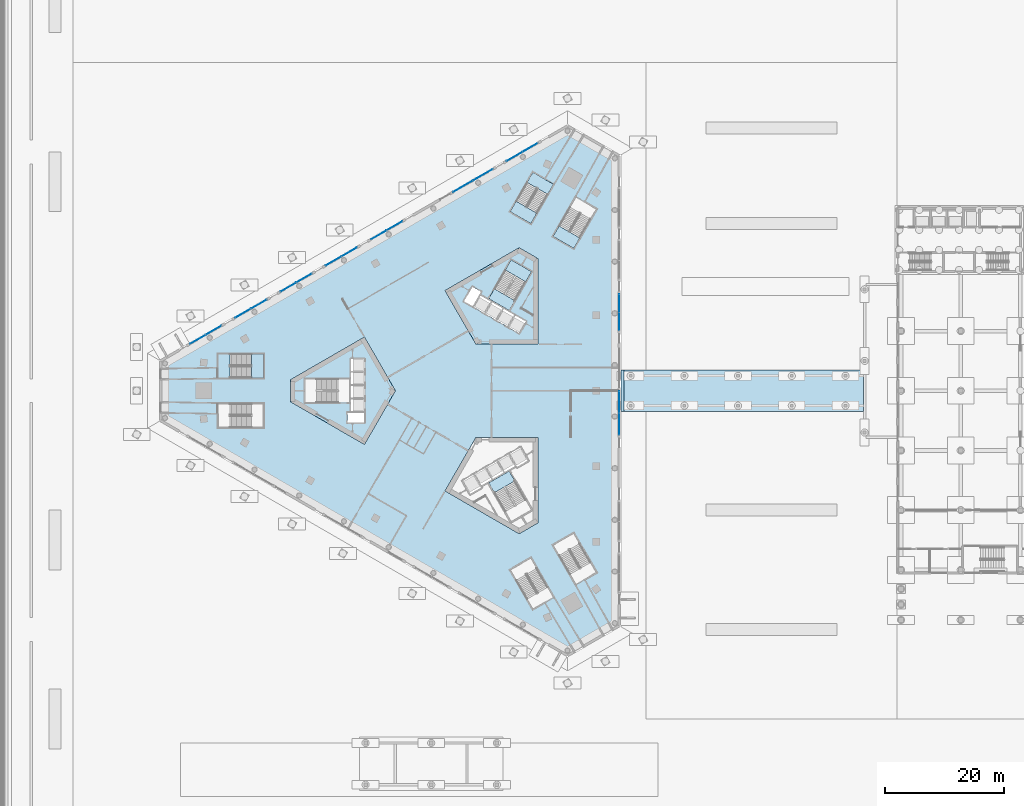
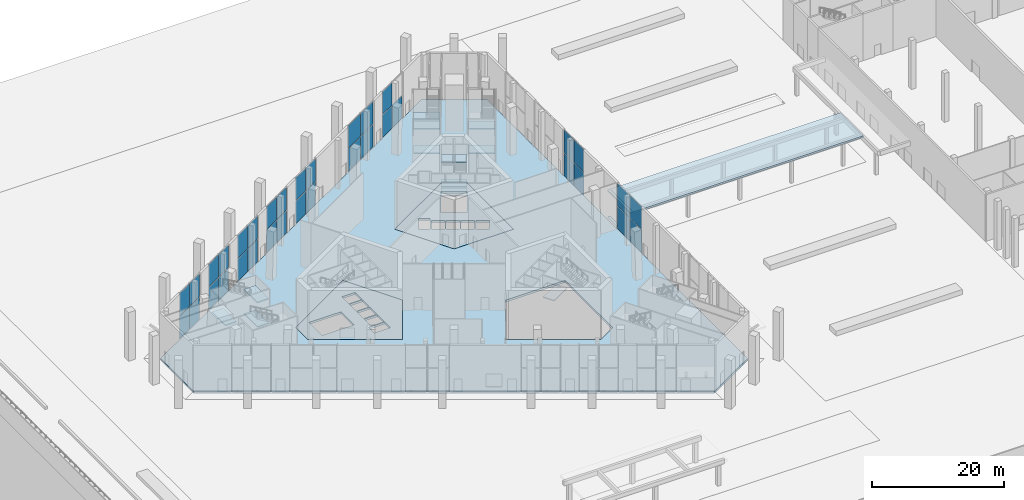
# One storey, part 20 of 63: 37 plates, 16 slabs, 14 elements without a shape of their own.
"""IFC4 building model written with IfcOpenShell, lengths in metres."""

import ifcopenshell
import ifcopenshell.guid

model = None  # the IFC model being written
_history = None  # IfcOwnerHistory: only IFC2X3 demands one
_inside = {}  # id of a spatial element -> (the spatial element, [elements in it])
_under = {}  # id of a project, library or spatial element -> (it, [spatial elements below it])
_declared = {}  # id of a project -> (the project, [libraries it declares])
_typed = {}  # id of a type object -> (the type object, [elements of that type])
_made_of = {}  # id of a material, layer set ... -> (it, [elements and type objects made of it])


def new_model(schema):
    """Start an empty IFC model of exactly this schema.

    Asked for "IFC4X3", IfcOpenShell would pick the latest addendum, in which some entities
    have other attributes; the version numbers below select the first issue.
    IFC2X3 requires an IfcOwnerHistory on every rooted entity: one is made here for all.
    """
    global model, _history
    if schema == "IFC4X3":
        model = ifcopenshell.file(schema_version=(4, 3, 0, 0))
    else:
        model = ifcopenshell.file(schema=schema)
    _inside.clear()
    _under.clear()
    _declared.clear()
    _typed.clear()
    _made_of.clear()
    _history = None
    if model.schema == "IFC2X3":
        org = make("IfcOrganization", Name="unknown")
        user = make(
            "IfcPersonAndOrganization",
            ThePerson=make("IfcPerson", FamilyName="unknown"),
            TheOrganization=org,
        )
        app = make(
            "IfcApplication",
            ApplicationDeveloper=org,
            Version="unknown",
            ApplicationFullName="unknown",
            ApplicationIdentifier="unknown",
        )
        _history = make(
            "IfcOwnerHistory",
            OwningUser=user,
            OwningApplication=app,
            ChangeAction="ADDED",
            CreationDate=0,
        )
    return model


def make(cls, **values):
    """One entity of the class cls with the attributes given. An attribute that is None is left unset."""
    return model.create_entity(
        cls, **{name: value for name, value in values.items() if value is not None}
    )


def rooted(cls, **values):
    """An entity with a GlobalId (a new one), such as an element, a storey or a relation."""
    return make(cls, GlobalId=ifcopenshell.guid.new(), OwnerHistory=_history, **values)


def si_unit(unit_type, name, prefix=None):
    """IfcSIUnit, for example si_unit("LENGTHUNIT", "METRE", prefix="MILLI")."""
    return make("IfcSIUnit", UnitType=unit_type, Prefix=prefix, Name=name)


def assignment(units):
    """IfcUnitAssignment: the units of a project."""
    return None if units is None else make("IfcUnitAssignment", Units=units)


def point(xyz):
    """IfcCartesianPoint."""
    return None if xyz is None else make("IfcCartesianPoint", Coordinates=xyz)


def direction(xyz):
    """IfcDirection."""
    return None if xyz is None else make("IfcDirection", DirectionRatios=xyz)


def frame(location, z_axis=None, x_axis=None):
    """IfcAxis2Placement3D, a coordinate frame: its origin and axes. An axis left out is left unset."""
    return make(
        "IfcAxis2Placement3D",
        Location=point(location),
        Axis=direction(z_axis),
        RefDirection=direction(x_axis),
    )


def frame_2d(location, x_axis=None):
    """IfcAxis2Placement2D, a coordinate frame in the plane: its origin and x axis."""
    return make(
        "IfcAxis2Placement2D", Location=point(location), RefDirection=direction(x_axis)
    )


def origin():
    """The frame at (0, 0, 0) with its axes left unset."""
    return frame((0.0, 0.0, 0.0))


def origin_2d():
    """The frame at (0, 0) in the plane with its x axis left unset."""
    return frame_2d((0.0, 0.0))


def place(relative_to, where):
    """IfcLocalPlacement: puts the frame where relative to a parent placement (None: the world)."""
    return make(
        "IfcLocalPlacement", PlacementRelTo=relative_to, RelativePlacement=where
    )


def context(
    kind, dimensions, precision=None, world=None, true_north=None, identifier=None
):
    """IfcGeometricRepresentationContext, for example the 3D "Model" context."""
    return make(
        "IfcGeometricRepresentationContext",
        ContextIdentifier=identifier,
        ContextType=kind,
        CoordinateSpaceDimension=dimensions,
        Precision=precision,
        WorldCoordinateSystem=world,
        TrueNorth=true_north,
    )


def subcontext(parent, identifier, kind, view, scale=None):
    """IfcGeometricRepresentationSubContext, for example "Body" below "Model"."""
    return make(
        "IfcGeometricRepresentationSubContext",
        ContextIdentifier=identifier,
        ContextType=kind,
        ParentContext=parent,
        TargetScale=scale,
        TargetView=view,
    )


def project(units=None, contexts=None):
    """IfcProject with its units and contexts."""
    return rooted(
        "IfcProject",
        Name="project",
        RepresentationContexts=contexts,
        UnitsInContext=assignment(units),
    )


def spatial(cls, under=None, at=None, **own):
    """A site, building, storey or space (cls), placed at a placement, below another one or the project."""
    s = rooted(cls, ObjectPlacement=at, **own)
    if under is not None:
        _under.setdefault(under.id(), (under, []))[1].append(s)
    return s


def polyline(points):
    """IfcPolyline through the points."""
    return make("IfcPolyline", Points=[point(p) for p in points])


def profile(cls, at=None, kind="AREA", **sizes):
    """A parametric profile (cls). Its sizes go by their IFC names, for example OverallWidth=200.0."""
    return make(cls, ProfileType=kind, Position=at, **sizes)


def rectangle(**sizes):
    """IfcRectangleProfileDef."""
    return profile("IfcRectangleProfileDef", **sizes)


def outline(outer, holes=None, kind="AREA"):
    """IfcArbitraryClosedProfileDef: a profile drawn as a closed curve; with holes, ...WithVoids."""
    if holes is None:
        return make("IfcArbitraryClosedProfileDef", ProfileType=kind, OuterCurve=outer)
    return make(
        "IfcArbitraryProfileDefWithVoids",
        ProfileType=kind,
        OuterCurve=outer,
        InnerCurves=holes,
    )


def extrude(swept, where, along, depth):
    """IfcExtrudedAreaSolid: the profile swept, set in the frame where, extruded along a direction by depth."""
    return make(
        "IfcExtrudedAreaSolid",
        SweptArea=swept,
        Position=where,
        ExtrudedDirection=direction(along),
        Depth=depth,
    )


def shape(context_of_items, identifier, shape_type, items):
    """IfcShapeRepresentation: the items that make up one representation, for example the "Body"."""
    return make(
        "IfcShapeRepresentation",
        ContextOfItems=context_of_items,
        RepresentationIdentifier=identifier,
        RepresentationType=shape_type,
        Items=items,
    )


def material(Name=None, Category=None):
    """IfcMaterial."""
    return make("IfcMaterial", Name=Name, Category=Category)


def layer(
    of_material, thickness, ventilated=None, Name=None, Category=None, Priority=None
):
    """IfcMaterialLayer: one layer of a wall or slab, of a material (None: an air gap)."""
    return make(
        "IfcMaterialLayer",
        Material=of_material,
        LayerThickness=thickness,
        IsVentilated=ventilated,
        Name=Name,
        Category=Category,
        Priority=Priority,
    )


def layer_set(layers, Name=None):
    """IfcMaterialLayerSet."""
    return make("IfcMaterialLayerSet", MaterialLayers=layers, LayerSetName=Name)


def made_of(thing, what):
    """Note that an element or type object is made of a material, layer set ...; save() writes the relation."""
    if what is not None:
        _made_of.setdefault(what.id(), (what, []))[1].append(thing)
    return thing


def type_object(cls, material=None, **own):
    """A type object (cls), such as IfcWallType, which elements share."""
    return made_of(rooted(cls, **own), material)


def element(
    cls,
    number,
    at=None,
    inside=None,
    cuts=None,
    type_object=None,
    material=None,
    context=None,
    identifier="Body",
    shape_type=None,
    held_by="IfcProductDefinitionShape",
    body=None,
    shapes=None,
    **own,
):
    """One element of the class cls, such as IfcWall. Its Tag is "e" and its number.

    at: its placement. inside: the storey or other place that contains it. cuts: it is an
    opening in that element (IfcRelVoidsElement). A single representation is given by context,
    identifier, shape_type and body (its items); several are given by shapes. held_by: the class
    of the entity that holds the representations. save() writes the other relations.
    """
    e = rooted(cls, Tag="e%d" % number, ObjectPlacement=at, **own)
    if body is not None:
        shapes = [shape(context, identifier, shape_type, body)]
    if shapes is not None:
        e.Representation = make(held_by, Representations=shapes)
    if inside is not None:
        _inside.setdefault(inside.id(), (inside, []))[1].append(e)
    if cuts is not None:
        rooted(
            "IfcRelVoidsElement", RelatingBuildingElement=cuts, RelatedOpeningElement=e
        )
    if type_object is not None:
        _typed.setdefault(type_object.id(), (type_object, []))[1].append(e)
    return made_of(e, material)


def aggregate(whole, parts):
    """IfcRelAggregates: a whole, such as a stair, and the parts it consists of."""
    return rooted("IfcRelAggregates", RelatingObject=whole, RelatedObjects=parts)


def save(model, path):
    """Write the relations noted so far, then the file.

    IfcRelAggregates (storeys below a building ...), IfcRelContainedInSpatialStructure (elements
    in a storey), IfcRelDefinesByType, IfcRelAssociatesMaterial and IfcRelDeclares: one each for
    every whole, place, type object, material and project.
    """
    for whole, parts in _under.values():
        aggregate(whole, parts)
    for where, things in _inside.values():
        rooted(
            "IfcRelContainedInSpatialStructure",
            RelatedElements=things,
            RelatingStructure=where,
        )
    for kind, things in _typed.values():
        rooted("IfcRelDefinesByType", RelatedObjects=things, RelatingType=kind)
    for what, things in _made_of.values():
        rooted("IfcRelAssociatesMaterial", RelatedObjects=things, RelatingMaterial=what)
    for by, libraries in _declared.values():
        rooted("IfcRelDeclares", RelatingContext=by, RelatedDefinitions=libraries)
    model.write(path)


model = new_model("IFC4")

# Units and contexts
model_context = context("Model", 3, precision=1e-05, world=origin(), true_north=direction((0.0, 1.0)))
body_context = subcontext(model_context, "Body", "Model", "MODEL_VIEW")
ifc_project = project(units=[si_unit("LENGTHUNIT", "METRE"), si_unit("AREAUNIT", "SQUARE_METRE"), si_unit("VOLUMEUNIT", "CUBIC_METRE"), si_unit("PLANEANGLEUNIT", "RADIAN"), si_unit("MASSUNIT", "GRAM", prefix="KILO")], contexts=[model_context])

# Site, building, storey
site_placement = place(None, origin())
site = spatial("IfcSite", under=ifc_project, at=site_placement, CompositionType="ELEMENT")
building_placement = place(site_placement, origin())
building = spatial("IfcBuilding", under=site, at=building_placement, Name="Jabali Bay Hotel Tower and Convention Centre", CompositionType="ELEMENT")
storey_placement = place(building_placement, origin())
storey = spatial("IfcBuildingStorey", under=building, at=storey_placement, Name="L00", CompositionType="ELEMENT", Elevation=0.0)

# Curtain wall, plates
ifc_material_1 = material(Name="Aluminium and glass", Category="aluminium")
ifc_layer_1 = layer(ifc_material_1, 0.179931640625)
ifc_layer_set_1 = layer_set([ifc_layer_1], Name="Aluminium and glass")
curtain_wall_type_1 = type_object("IfcCurtainWallType", Name="CW1 curtain wall", PredefinedType="NOTDEFINED", material=ifc_layer_set_1)
curtain_wall_1_placement = place(storey_placement, origin())
curtain_wall_1 = element("IfcCurtainWall", 1, at=curtain_wall_1_placement, inside=storey, type_object=curtain_wall_type_1, Name="CW1 curtain wall east face L00", PredefinedType="NOTDEFINED")
ifc_material_2 = material(Name="Glass", Category="glass")
ifc_layer_2 = layer(ifc_material_2, 0.028076171875)
ifc_layer_set_2 = layer_set([ifc_layer_2], Name="Glass")
plate_type_1 = type_object("IfcPlateType", Name="CW1 glass panel 28", PredefinedType="CURTAIN_PANEL", material=ifc_layer_set_2)
plate_1_placement = place(storey_placement, frame((103.5, 78.085693359375, 0.06005859375), z_axis=(0.0, 0.0, 1.0), x_axis=(0.0, -1.0, 0.0)))
plate_1 = element("IfcPlate", 2, at=plate_1_placement, type_object=plate_type_1, Name="CW1 panel 1.1", PredefinedType="CURTAIN_PANEL", context=body_context, shape_type="SweptSolid", body=[
    extrude(rectangle(XDim=3.608642578125, YDim=0.028076171875, at=origin_2d()), origin(), (0.0, 0.0, 1.0), 4.2099609375),
])
plate_2_placement = place(storey_placement, frame((103.5, 78.085693359375, 4.330078125), z_axis=(0.0, 0.0, 1.0), x_axis=(0.0, -1.0, 0.0)))
plate_2 = element("IfcPlate", 3, at=plate_2_placement, type_object=plate_type_1, Name="CW1 panel 1.2", PredefinedType="CURTAIN_PANEL", context=body_context, shape_type="SweptSolid", body=[
    extrude(rectangle(XDim=3.608642578125, YDim=0.028076171875, at=origin_2d()), origin(), (0.0, 0.0, 1.0), 4.2099609375),
])
plate_3_placement = place(storey_placement, frame((103.5, 74.4169921875, 0.06005859375), z_axis=(0.0, 0.0, 1.0), x_axis=(0.0, -1.0, 0.0)))
plate_3 = element("IfcPlate", 4, at=plate_3_placement, type_object=plate_type_1, Name="CW1 panel 2.1", PredefinedType="CURTAIN_PANEL", context=body_context, shape_type="SweptSolid", body=[
    extrude(rectangle(XDim=3.608642578125, YDim=0.028076171875, at=origin_2d()), origin(), (0.0, 0.0, 1.0), 4.2099609375),
])
plate_4_placement = place(storey_placement, frame((103.5, 74.4169921875, 4.330078125), z_axis=(0.0, 0.0, 1.0), x_axis=(0.0, -1.0, 0.0)))
plate_4 = element("IfcPlate", 5, at=plate_4_placement, type_object=plate_type_1, Name="CW1 panel 2.2", PredefinedType="CURTAIN_PANEL", context=body_context, shape_type="SweptSolid", body=[
    extrude(rectangle(XDim=3.608642578125, YDim=0.028076171875, at=origin_2d()), origin(), (0.0, 0.0, 1.0), 4.2099609375),
])
aggregate(curtain_wall_1, [plate_1, plate_2, plate_3, plate_4])

curtain_wall_2_placement = place(storey_placement, origin())
curtain_wall_2 = element("IfcCurtainWall", 6, at=curtain_wall_2_placement, inside=storey, type_object=curtain_wall_type_1, Name="CW1 curtain wall east face L00", PredefinedType="NOTDEFINED")
plate_5_placement = place(storey_placement, frame((103.5, 94.64306640625, 0.06005859375), z_axis=(0.0, 0.0, 1.0), x_axis=(0.0, -1.0, 0.0)))
plate_5 = element("IfcPlate", 7, at=plate_5_placement, type_object=plate_type_1, Name="CW1 panel 1.1", PredefinedType="CURTAIN_PANEL", context=body_context, shape_type="SweptSolid", body=[
    extrude(rectangle(XDim=2.983642578125, YDim=0.028076171875, at=origin_2d()), origin(), (0.0, 0.0, 1.0), 4.2099609375),
])
plate_6_placement = place(storey_placement, frame((103.5, 94.64306640625, 4.330078125), z_axis=(0.0, 0.0, 1.0), x_axis=(0.0, -1.0, 0.0)))
plate_6 = element("IfcPlate", 8, at=plate_6_placement, type_object=plate_type_1, Name="CW1 panel 1.2", PredefinedType="CURTAIN_PANEL", context=body_context, shape_type="SweptSolid", body=[
    extrude(rectangle(XDim=2.983642578125, YDim=0.028076171875, at=origin_2d()), origin(), (0.0, 0.0, 1.0), 4.2099609375),
])
plate_7_placement = place(storey_placement, frame((103.5, 91.599365234375, 0.06005859375), z_axis=(0.0, 0.0, 1.0), x_axis=(0.0, -1.0, 0.0)))
plate_7 = element("IfcPlate", 9, at=plate_7_placement, type_object=plate_type_1, Name="CW1 panel 2.1", PredefinedType="CURTAIN_PANEL", context=body_context, shape_type="SweptSolid", body=[
    extrude(rectangle(XDim=2.983642578125, YDim=0.028076171875, at=origin_2d()), origin(), (0.0, 0.0, 1.0), 4.2099609375),
])
plate_8_placement = place(storey_placement, frame((103.5, 91.599365234375, 4.330078125), z_axis=(0.0, 0.0, 1.0), x_axis=(0.0, -1.0, 0.0)))
plate_8 = element("IfcPlate", 10, at=plate_8_placement, type_object=plate_type_1, Name="CW1 panel 2.2", PredefinedType="CURTAIN_PANEL", context=body_context, shape_type="SweptSolid", body=[
    extrude(rectangle(XDim=2.983642578125, YDim=0.028076171875, at=origin_2d()), origin(), (0.0, 0.0, 1.0), 4.2099609375),
])
aggregate(curtain_wall_2, [plate_5, plate_6, plate_7, plate_8])

ifc_layer_3 = layer(ifc_material_1, 0.239990234375)
ifc_layer_set_3 = layer_set([ifc_layer_3], Name="Aluminium and glass")
curtain_wall_type_2 = type_object("IfcCurtainWallType", Name="CW2 curtain wall", PredefinedType="NOTDEFINED", material=ifc_layer_set_3)
curtain_wall_3_placement = place(storey_placement, origin())
curtain_wall_3 = element("IfcCurtainWall", 11, at=curtain_wall_3_placement, inside=storey, type_object=curtain_wall_type_2, Name="CW2 curtain wall north-west face L00", PredefinedType="NOTDEFINED")
ifc_layer_4 = layer(ifc_material_2, 0.035888671875)
ifc_layer_set_4 = layer_set([ifc_layer_4], Name="Glass")
plate_type_2 = type_object("IfcPlateType", Name="CW2 glass panel 36", PredefinedType="CURTAIN_PANEL", material=ifc_layer_set_4)
plate_9_placement = place(storey_placement, frame((85.95068359375, 119.231201171875, 0.080078125), z_axis=(0.0, 0.0, 1.0), x_axis=(0.866025404107, 0.499999999441, 0.0)))
plate_9 = element("IfcPlate", 12, at=plate_9_placement, type_object=plate_type_2, Name="CW2 panel 1.1", PredefinedType="CURTAIN_PANEL", context=body_context, shape_type="SweptSolid", body=[
    extrude(rectangle(XDim=2.95361328125, YDim=0.035888671875, at=origin_2d()), origin(), (0.0, 0.0, 1.0), 4.179931640625),
])
plate_10_placement = place(storey_placement, frame((85.95068359375, 119.231201171875, 4.33984375), z_axis=(0.0, 0.0, 1.0), x_axis=(0.866025404107, 0.499999999441, 0.0)))
plate_10 = element("IfcPlate", 13, at=plate_10_placement, type_object=plate_type_2, Name="CW2 panel 1.2", PredefinedType="CURTAIN_PANEL", context=body_context, shape_type="SweptSolid", body=[
    extrude(rectangle(XDim=2.95361328125, YDim=0.035888671875, at=origin_2d()), origin(), (0.0, 0.0, 1.0), 4.179931640625),
])
plate_11_placement = place(storey_placement, frame((88.577880859375, 120.748046875, 0.080078125), z_axis=(0.0, 0.0, 1.0), x_axis=(0.866025404107, 0.499999999441, 0.0)))
plate_11 = element("IfcPlate", 14, at=plate_11_placement, type_object=plate_type_2, Name="CW2 panel 2.1", PredefinedType="CURTAIN_PANEL", context=body_context, shape_type="SweptSolid", body=[
    extrude(rectangle(XDim=2.95361328125, YDim=0.035888671875, at=origin_2d()), origin(), (0.0, 0.0, 1.0), 4.179931640625),
])
aggregate(curtain_wall_3, [plate_9, plate_10, plate_11])

curtain_wall_4_placement = place(storey_placement, origin())
curtain_wall_4 = element("IfcCurtainWall", 15, at=curtain_wall_4_placement, inside=storey, type_object=curtain_wall_type_2, Name="CW2 curtain wall north-west face L00", PredefinedType="NOTDEFINED")
plate_12_placement = place(storey_placement, frame((77.311767578125, 114.24365234375, 0.080078125), z_axis=(0.0, 0.0, 1.0), x_axis=(0.866025404107, 0.499999999441, 0.0)))
plate_12 = element("IfcPlate", 16, at=plate_12_placement, type_object=plate_type_2, Name="CW2 panel 1.1", PredefinedType="CURTAIN_PANEL", context=body_context, shape_type="SweptSolid", body=[
    extrude(rectangle(XDim=3.772216796875, YDim=0.035888671875, at=origin_2d()), origin(), (0.0, 0.0, 1.0), 4.179931640625),
])
plate_13_placement = place(storey_placement, frame((77.311767578125, 114.24365234375, 4.33984375), z_axis=(0.0, 0.0, 1.0), x_axis=(0.866025404107, 0.499999999441, 0.0)))
plate_13 = element("IfcPlate", 17, at=plate_13_placement, type_object=plate_type_2, Name="CW2 panel 1.2", PredefinedType="CURTAIN_PANEL", context=body_context, shape_type="SweptSolid", body=[
    extrude(rectangle(XDim=3.772216796875, YDim=0.035888671875, at=origin_2d()), origin(), (0.0, 0.0, 1.0), 4.179931640625),
])
plate_14_placement = place(storey_placement, frame((80.64794921875, 116.169921875, 0.080078125), z_axis=(0.0, 0.0, 1.0), x_axis=(0.866025404107, 0.499999999441, 0.0)))
plate_14 = element("IfcPlate", 18, at=plate_14_placement, type_object=plate_type_2, Name="CW2 panel 2.1", PredefinedType="CURTAIN_PANEL", context=body_context, shape_type="SweptSolid", body=[
    extrude(rectangle(XDim=3.772216796875, YDim=0.035888671875, at=origin_2d()), origin(), (0.0, 0.0, 1.0), 4.179931640625),
])
plate_15_placement = place(storey_placement, frame((80.64794921875, 116.169921875, 4.33984375), z_axis=(0.0, 0.0, 1.0), x_axis=(0.866025404107, 0.499999999441, 0.0)))
plate_15 = element("IfcPlate", 19, at=plate_15_placement, type_object=plate_type_2, Name="CW2 panel 2.2", PredefinedType="CURTAIN_PANEL", context=body_context, shape_type="SweptSolid", body=[
    extrude(rectangle(XDim=3.772216796875, YDim=0.035888671875, at=origin_2d()), origin(), (0.0, 0.0, 1.0), 4.179931640625),
])
aggregate(curtain_wall_4, [plate_12, plate_13, plate_14, plate_15])

curtain_wall_5_placement = place(storey_placement, origin())
curtain_wall_5 = element("IfcCurtainWall", 20, at=curtain_wall_5_placement, inside=storey, type_object=curtain_wall_type_2, Name="CW2 curtain wall north-west face L00", PredefinedType="NOTDEFINED")
plate_16_placement = place(storey_placement, frame((63.22412109375, 106.110107421875, 0.080078125), z_axis=(0.0, 0.0, 1.0), x_axis=(0.866025404107, 0.499999999441, 0.0)))
plate_16 = element("IfcPlate", 21, at=plate_16_placement, type_object=plate_type_2, Name="CW2 panel 1.1", PredefinedType="CURTAIN_PANEL", context=body_context, shape_type="SweptSolid", body=[
    extrude(rectangle(XDim=2.95361328125, YDim=0.035888671875, at=origin_2d()), origin(), (0.0, 0.0, 1.0), 4.179931640625),
])
plate_17_placement = place(storey_placement, frame((63.22412109375, 106.110107421875, 4.33984375), z_axis=(0.0, 0.0, 1.0), x_axis=(0.866025404107, 0.499999999441, 0.0)))
plate_17 = element("IfcPlate", 22, at=plate_17_placement, type_object=plate_type_2, Name="CW2 panel 1.2", PredefinedType="CURTAIN_PANEL", context=body_context, shape_type="SweptSolid", body=[
    extrude(rectangle(XDim=2.95361328125, YDim=0.035888671875, at=origin_2d()), origin(), (0.0, 0.0, 1.0), 4.179931640625),
])
plate_18_placement = place(storey_placement, frame((65.851318359375, 107.626953125, 0.080078125), z_axis=(0.0, 0.0, 1.0), x_axis=(0.866025404107, 0.499999999441, 0.0)))
plate_18 = element("IfcPlate", 23, at=plate_18_placement, type_object=plate_type_2, Name="CW2 panel 2.1", PredefinedType="CURTAIN_PANEL", context=body_context, shape_type="SweptSolid", body=[
    extrude(rectangle(XDim=2.95361328125, YDim=0.035888671875, at=origin_2d()), origin(), (0.0, 0.0, 1.0), 4.179931640625),
])
plate_19_placement = place(storey_placement, frame((65.851318359375, 107.626953125, 4.33984375), z_axis=(0.0, 0.0, 1.0), x_axis=(0.866025404107, 0.499999999441, 0.0)))
plate_19 = element("IfcPlate", 24, at=plate_19_placement, type_object=plate_type_2, Name="CW2 panel 2.2", PredefinedType="CURTAIN_PANEL", context=body_context, shape_type="SweptSolid", body=[
    extrude(rectangle(XDim=2.95361328125, YDim=0.035888671875, at=origin_2d()), origin(), (0.0, 0.0, 1.0), 4.179931640625),
])
aggregate(curtain_wall_5, [plate_16, plate_17, plate_18, plate_19])

curtain_wall_6_placement = place(storey_placement, origin())
curtain_wall_6 = element("IfcCurtainWall", 25, at=curtain_wall_6_placement, inside=storey, type_object=curtain_wall_type_2, Name="CW2 curtain wall north-west face L00", PredefinedType="NOTDEFINED")
plate_20_placement = place(storey_placement, frame((55.648681640625, 101.736328125, 0.080078125), z_axis=(0.0, 0.0, 1.0), x_axis=(0.866025404107, 0.499999999441, 0.0)))
plate_20 = element("IfcPlate", 26, at=plate_20_placement, type_object=plate_type_2, Name="CW2 panel 1.1", PredefinedType="CURTAIN_PANEL", context=body_context, shape_type="SweptSolid", body=[
    extrude(rectangle(XDim=2.95361328125, YDim=0.035888671875, at=origin_2d()), origin(), (0.0, 0.0, 1.0), 4.179931640625),
])
plate_21_placement = place(storey_placement, frame((55.648681640625, 101.736328125, 4.33984375), z_axis=(0.0, 0.0, 1.0), x_axis=(0.866025404107, 0.499999999441, 0.0)))
plate_21 = element("IfcPlate", 27, at=plate_21_placement, type_object=plate_type_2, Name="CW2 panel 1.2", PredefinedType="CURTAIN_PANEL", context=body_context, shape_type="SweptSolid", body=[
    extrude(rectangle(XDim=2.95361328125, YDim=0.035888671875, at=origin_2d()), origin(), (0.0, 0.0, 1.0), 4.179931640625),
])
plate_22_placement = place(storey_placement, frame((58.27587890625, 103.253173828125, 0.080078125), z_axis=(0.0, 0.0, 1.0), x_axis=(0.866025404107, 0.499999999441, 0.0)))
plate_22 = element("IfcPlate", 28, at=plate_22_placement, type_object=plate_type_2, Name="CW2 panel 2.1", PredefinedType="CURTAIN_PANEL", context=body_context, shape_type="SweptSolid", body=[
    extrude(rectangle(XDim=2.95361328125, YDim=0.035888671875, at=origin_2d()), origin(), (0.0, 0.0, 1.0), 4.179931640625),
])
plate_23_placement = place(storey_placement, frame((58.27587890625, 103.253173828125, 4.33984375), z_axis=(0.0, 0.0, 1.0), x_axis=(0.866025404107, 0.499999999441, 0.0)))
plate_23 = element("IfcPlate", 29, at=plate_23_placement, type_object=plate_type_2, Name="CW2 panel 2.2", PredefinedType="CURTAIN_PANEL", context=body_context, shape_type="SweptSolid", body=[
    extrude(rectangle(XDim=2.95361328125, YDim=0.035888671875, at=origin_2d()), origin(), (0.0, 0.0, 1.0), 4.179931640625),
])
aggregate(curtain_wall_6, [plate_20, plate_21, plate_22, plate_23])

curtain_wall_7_placement = place(storey_placement, origin())
curtain_wall_7 = element("IfcCurtainWall", 30, at=curtain_wall_7_placement, inside=storey, type_object=curtain_wall_type_2, Name="CW2 curtain wall north-west face L00", PredefinedType="NOTDEFINED")
plate_24_placement = place(storey_placement, frame((48.072998046875, 97.36279296875, 0.080078125), z_axis=(0.0, 0.0, 1.0), x_axis=(0.866025404107, 0.499999999441, 0.0)))
plate_24 = element("IfcPlate", 31, at=plate_24_placement, type_object=plate_type_2, Name="CW2 panel 1.1", PredefinedType="CURTAIN_PANEL", context=body_context, shape_type="SweptSolid", body=[
    extrude(rectangle(XDim=2.95361328125, YDim=0.035888671875, at=origin_2d()), origin(), (0.0, 0.0, 1.0), 4.179931640625),
])
plate_25_placement = place(storey_placement, frame((48.072998046875, 97.36279296875, 4.33984375), z_axis=(0.0, 0.0, 1.0), x_axis=(0.866025404107, 0.499999999441, 0.0)))
plate_25 = element("IfcPlate", 32, at=plate_25_placement, type_object=plate_type_2, Name="CW2 panel 1.2", PredefinedType="CURTAIN_PANEL", context=body_context, shape_type="SweptSolid", body=[
    extrude(rectangle(XDim=2.95361328125, YDim=0.035888671875, at=origin_2d()), origin(), (0.0, 0.0, 1.0), 4.179931640625),
])
plate_26_placement = place(storey_placement, frame((50.700439453125, 98.879638671875, 0.080078125), z_axis=(0.0, 0.0, 1.0), x_axis=(0.866025404107, 0.499999999441, 0.0)))
plate_26 = element("IfcPlate", 33, at=plate_26_placement, type_object=plate_type_2, Name="CW2 panel 2.1", PredefinedType="CURTAIN_PANEL", context=body_context, shape_type="SweptSolid", body=[
    extrude(rectangle(XDim=2.95361328125, YDim=0.035888671875, at=origin_2d()), origin(), (0.0, 0.0, 1.0), 4.179931640625),
])
plate_27_placement = place(storey_placement, frame((50.700439453125, 98.879638671875, 4.33984375), z_axis=(0.0, 0.0, 1.0), x_axis=(0.866025404107, 0.499999999441, 0.0)))
plate_27 = element("IfcPlate", 34, at=plate_27_placement, type_object=plate_type_2, Name="CW2 panel 2.2", PredefinedType="CURTAIN_PANEL", context=body_context, shape_type="SweptSolid", body=[
    extrude(rectangle(XDim=2.95361328125, YDim=0.035888671875, at=origin_2d()), origin(), (0.0, 0.0, 1.0), 4.179931640625),
])
aggregate(curtain_wall_7, [plate_24, plate_25, plate_26, plate_27])

curtain_wall_8_placement = place(storey_placement, origin())
curtain_wall_8 = element("IfcCurtainWall", 35, at=curtain_wall_8_placement, inside=storey, type_object=curtain_wall_type_2, Name="CW2 curtain wall north-west face L00", PredefinedType="NOTDEFINED")
plate_28_placement = place(storey_placement, frame((40.49755859375, 92.989013671875, 0.080078125), z_axis=(0.0, 0.0, 1.0), x_axis=(0.866025404107, 0.499999999441, 0.0)))
plate_28 = element("IfcPlate", 36, at=plate_28_placement, type_object=plate_type_2, Name="CW2 panel 1.1", PredefinedType="CURTAIN_PANEL", context=body_context, shape_type="SweptSolid", body=[
    extrude(rectangle(XDim=2.95361328125, YDim=0.035888671875, at=origin_2d()), origin(), (0.0, 0.0, 1.0), 4.179931640625),
])
plate_29_placement = place(storey_placement, frame((40.49755859375, 92.989013671875, 4.33984375), z_axis=(0.0, 0.0, 1.0), x_axis=(0.866025404107, 0.499999999441, 0.0)))
plate_29 = element("IfcPlate", 37, at=plate_29_placement, type_object=plate_type_2, Name="CW2 panel 1.2", PredefinedType="CURTAIN_PANEL", context=body_context, shape_type="SweptSolid", body=[
    extrude(rectangle(XDim=2.95361328125, YDim=0.035888671875, at=origin_2d()), origin(), (0.0, 0.0, 1.0), 4.179931640625),
])
plate_30_placement = place(storey_placement, frame((43.125, 94.505859375, 0.080078125), z_axis=(0.0, 0.0, 1.0), x_axis=(0.866025404107, 0.499999999441, 0.0)))
plate_30 = element("IfcPlate", 38, at=plate_30_placement, type_object=plate_type_2, Name="CW2 panel 2.1", PredefinedType="CURTAIN_PANEL", context=body_context, shape_type="SweptSolid", body=[
    extrude(rectangle(XDim=2.95361328125, YDim=0.035888671875, at=origin_2d()), origin(), (0.0, 0.0, 1.0), 4.179931640625),
])
plate_31_placement = place(storey_placement, frame((43.125, 94.505859375, 4.33984375), z_axis=(0.0, 0.0, 1.0), x_axis=(0.866025404107, 0.499999999441, 0.0)))
plate_31 = element("IfcPlate", 39, at=plate_31_placement, type_object=plate_type_2, Name="CW2 panel 2.2", PredefinedType="CURTAIN_PANEL", context=body_context, shape_type="SweptSolid", body=[
    extrude(rectangle(XDim=2.95361328125, YDim=0.035888671875, at=origin_2d()), origin(), (0.0, 0.0, 1.0), 4.179931640625),
])
aggregate(curtain_wall_8, [plate_28, plate_29, plate_30, plate_31])

curtain_wall_9_placement = place(storey_placement, origin())
curtain_wall_9 = element("IfcCurtainWall", 40, at=curtain_wall_9_placement, inside=storey, type_object=curtain_wall_type_2, Name="CW2 curtain wall north-west face L00", PredefinedType="NOTDEFINED")
plate_32_placement = place(storey_placement, frame((32.922119140625, 88.615234375, 0.080078125), z_axis=(0.0, 0.0, 1.0), x_axis=(0.866025404107, 0.499999999441, 0.0)))
plate_32 = element("IfcPlate", 41, at=plate_32_placement, type_object=plate_type_2, Name="CW2 panel 1.1", PredefinedType="CURTAIN_PANEL", context=body_context, shape_type="SweptSolid", body=[
    extrude(rectangle(XDim=2.95361328125, YDim=0.035888671875, at=origin_2d()), origin(), (0.0, 0.0, 1.0), 4.179931640625),
])
plate_33_placement = place(storey_placement, frame((32.922119140625, 88.615234375, 4.33984375), z_axis=(0.0, 0.0, 1.0), x_axis=(0.866025404107, 0.499999999441, 0.0)))
plate_33 = element("IfcPlate", 42, at=plate_33_placement, type_object=plate_type_2, Name="CW2 panel 1.2", PredefinedType="CURTAIN_PANEL", context=body_context, shape_type="SweptSolid", body=[
    extrude(rectangle(XDim=2.95361328125, YDim=0.035888671875, at=origin_2d()), origin(), (0.0, 0.0, 1.0), 4.179931640625),
])
plate_34_placement = place(storey_placement, frame((35.54931640625, 90.132080078125, 0.080078125), z_axis=(0.0, 0.0, 1.0), x_axis=(0.866025404107, 0.499999999441, 0.0)))
plate_34 = element("IfcPlate", 43, at=plate_34_placement, type_object=plate_type_2, Name="CW2 panel 2.1", PredefinedType="CURTAIN_PANEL", context=body_context, shape_type="SweptSolid", body=[
    extrude(rectangle(XDim=2.95361328125, YDim=0.035888671875, at=origin_2d()), origin(), (0.0, 0.0, 1.0), 4.179931640625),
])
plate_35_placement = place(storey_placement, frame((35.54931640625, 90.132080078125, 4.33984375), z_axis=(0.0, 0.0, 1.0), x_axis=(0.866025404107, 0.499999999441, 0.0)))
plate_35 = element("IfcPlate", 44, at=plate_35_placement, type_object=plate_type_2, Name="CW2 panel 2.2", PredefinedType="CURTAIN_PANEL", context=body_context, shape_type="SweptSolid", body=[
    extrude(rectangle(XDim=2.95361328125, YDim=0.035888671875, at=origin_2d()), origin(), (0.0, 0.0, 1.0), 4.179931640625),
])
aggregate(curtain_wall_9, [plate_32, plate_33, plate_34, plate_35])

# Slabs
ifc_material_3 = material(Name="Concrete C40", Category="concrete")
ifc_layer_5 = layer(ifc_material_3, 0.39990234375)
ifc_layer_set_5 = layer_set([ifc_layer_5], Name="Concrete C40")
slab_type_1 = type_object("IfcSlabType", Name="Core floor slab 400", PredefinedType="FLOOR", material=ifc_layer_set_5)
slab_1_placement = place(storey_placement, frame((0.0, 0.0, -0.39990234375)))
element("IfcSlab", 45, at=slab_1_placement, inside=storey, type_object=slab_type_1, Name="Core floor slab 1 L00", PredefinedType="FLOOR", context=body_context, shape_type="SweptSolid", body=[
    extrude(outline(polyline([(66.0, 80.0), (60.81005859375, 88.9892578125), (48.39697265625, 81.82275390625), (48.39697265625, 78.17724609375), (60.81005859375, 71.0107421875), (66.0, 80.0)]), holes=[polyline([(60.800048828125, 74.64990234375), (60.800048828125, 76.35009765625), (57.949951171875, 76.35009765625), (57.949951171875, 74.64990234375), (60.800048828125, 74.64990234375)]), polyline([(58.52001953125, 76.550048828125), (60.800048828125, 76.550048828125), (60.800048828125, 78.60009765625), (58.52001953125, 78.60009765625), (58.52001953125, 76.550048828125)]), polyline([(58.52001953125, 78.800048828125), (60.800048828125, 78.800048828125), (60.800048828125, 80.85009765625), (58.52001953125, 80.85009765625), (58.52001953125, 78.800048828125)]), polyline([(56.409912109375, 81.97509765625), (50.820068359375, 81.97509765625), (50.820068359375, 78.02490234375), (56.409912109375, 78.02490234375), (56.409912109375, 81.97509765625)]), polyline([(58.52001953125, 81.050048828125), (60.800048828125, 81.050048828125), (60.800048828125, 83.10009765625), (58.52001953125, 83.10009765625), (58.52001953125, 81.050048828125)]), polyline([(58.52001953125, 83.300048828125), (60.800048828125, 83.300048828125), (60.800048828125, 85.35009765625), (58.52001953125, 85.35009765625), (58.52001953125, 83.300048828125)])]), origin(), (0.0, 0.0, 1.0), 0.39990234375),
])
slab_2_placement = place(storey_placement, frame((0.0, 0.0, -0.39990234375)))
element("IfcSlab", 46, at=slab_2_placement, inside=storey, type_object=slab_type_1, Name="Core floor slab 2 L00", PredefinedType="FLOOR", context=body_context, shape_type="SweptSolid", body=[
    extrude(outline(polyline([(79.5, 87.794189453125), (89.8798828125, 87.794189453125), (89.8798828125, 102.127685546875), (86.72314453125, 103.9501953125), (74.31005859375, 96.78369140625), (79.5, 87.794189453125)]), holes=[polyline([(84.957763671875, 90.6474609375), (86.733154296875, 89.62255859375), (87.873291015625, 91.59716796875), (86.097900390625, 92.6220703125), (84.957763671875, 90.6474609375)]), polyline([(84.1494140625, 93.7470703125), (83.00927734375, 91.7724609375), (84.78466796875, 90.74755859375), (85.924560546875, 92.72216796875), (84.1494140625, 93.7470703125)]), polyline([(82.20068359375, 94.8720703125), (81.060791015625, 92.8974609375), (82.836181640625, 91.87255859375), (83.97607421875, 93.84716796875), (82.20068359375, 94.8720703125)]), polyline([(79.1123046875, 94.0224609375), (80.887451171875, 92.99755859375), (82.027587890625, 94.97216796875), (80.252197265625, 95.9970703125), (79.1123046875, 94.0224609375)]), polyline([(78.891845703125, 97.440673828125), (77.466796875, 94.97265625), (78.93896484375, 94.12255859375), (80.364013671875, 96.5908203125), (78.891845703125, 97.440673828125)]), polyline([(82.584716796875, 97.0869140625), (86.00537109375, 95.11181640625), (88.80029296875, 99.952880859375), (85.379638671875, 101.927978515625), (82.584716796875, 97.0869140625)])]), origin(), (0.0, 0.0, 1.0), 0.39990234375),
])
ifc_layer_6 = layer(ifc_material_3, 0.39990234375)
ifc_layer_set_6 = layer_set([ifc_layer_6], Name="Concrete C40")
slab_type_2 = type_object("IfcSlabType", Name="Post-tensioned flat slab 400", PredefinedType="FLOOR", material=ifc_layer_set_6)
slab_3_placement = place(storey_placement, frame((0.0, 0.0, -0.39990234375)))
element("IfcSlab", 47, at=slab_3_placement, inside=storey, type_object=slab_type_2, Name="Floor slab L00", PredefinedType="FLOOR", context=body_context, shape_type="SweptSolid", body=[
    extrude(outline(polyline([(26.66015625, 85.0), (94.83984375, 124.363525390625), (103.5, 119.363525390625), (103.5, 40.636474609375), (94.83984375, 35.636474609375), (26.66015625, 75.0), (26.66015625, 85.0)]), holes=[polyline([(48.39697265625, 78.17724609375), (60.81005859375, 71.0107421875), (66.0, 80.0), (60.81005859375, 88.9892578125), (48.39697265625, 81.82275390625), (48.39697265625, 78.17724609375)]), polyline([(89.8798828125, 102.127685546875), (86.72314453125, 103.9501953125), (74.31005859375, 96.78369140625), (79.5, 87.794189453125), (89.8798828125, 87.794189453125), (89.8798828125, 102.127685546875)]), polyline([(74.31005859375, 63.21630859375), (86.72314453125, 56.0498046875), (89.8798828125, 57.872314453125), (89.8798828125, 72.205810546875), (79.5, 72.205810546875), (74.31005859375, 63.21630859375)])]), origin(), (0.0, 0.0, 1.0), 0.39990234375),
])
ifc_layer_7 = layer(ifc_material_3, 0.300048828125)
ifc_layer_set_7 = layer_set([ifc_layer_7], Name="Concrete C40")
slab_type_3 = type_object("IfcSlabType", Name="SI Colonnade Roof Slab 300", PredefinedType="ROOF", material=ifc_layer_set_7)
slab_4_placement = place(storey_placement, frame((0.0, 0.0, 4.699951171875)))
element("IfcSlab", 48, at=slab_4_placement, inside=storey, type_object=slab_type_3, Name="SI colonnade roof slab", PredefinedType="ROOF", context=body_context, shape_type="SweptSolid", body=[
    extrude(outline(polyline([(144.39990234375, 76.5), (144.39990234375, 83.5), (103.800048828125, 83.5), (103.800048828125, 76.5), (144.39990234375, 76.5)])), origin(), (0.0, 0.0, 1.0), 0.300048828125),
])

# Plates
ifc_material_4 = material(Name="Stainless steel 304", Category="steel")
ifc_layer_8 = layer(ifc_material_4, 0.006103515625)
ifc_layer_set_8 = layer_set([ifc_layer_8], Name="Stainless steel 304")
plate_type_3 = type_object("IfcPlateType", Name="SI Movement Joint Cover Plate 6", PredefinedType="SHEET", material=ifc_layer_set_8)
for number, where, z_axis, x_axis, name in (
    (49, (104.0, 80.0, 5.0), (0.0, 0.0, 1.0), (1.0, 0.0, 0.0), "Movement joint cover (roof)"),
    (50, (104.0, 80.0, 0.0), (0.0, 0.0, 1.0), (1.0, 0.0, 0.0), "Movement joint cover (paving)"),
):
    element("IfcPlate", number, at=place(storey_placement, frame(where, z_axis=z_axis, x_axis=x_axis)), inside=storey, type_object=plate_type_3, Name=name, PredefinedType="SHEET", context=body_context, shape_type="SweptSolid", body=[
        extrude(rectangle(XDim=0.5, YDim=7.0, at=origin_2d()), origin(), (0.0, 0.0, 1.0), 0.006103515625),
    ])

# Stair, slabs
stair_type_1 = type_object("IfcStairType", Name="Exit stair 1900", PredefinedType="HALF_TURN_STAIR", material=ifc_material_3)
stair_1_placement = place(storey_placement, origin())
stair_1 = element("IfcStair", 51, at=stair_1_placement, inside=storey, type_object=stair_type_1, Name="L00 Exit Stair 2", PredefinedType="HALF_TURN_STAIR")
ifc_layer_9 = layer(ifc_material_3, 0.199951171875)
ifc_layer_set_9 = layer_set([ifc_layer_9], Name="Concrete C40")
slab_type_4 = type_object("IfcSlabType", Name="Stair landing 200", PredefinedType="LANDING", material=ifc_layer_set_9)
slab_5_placement = place(storey_placement, frame((0.0, 0.0, 2.050048828125)))
slab_5 = element("IfcSlab", 52, at=slab_5_placement, type_object=slab_type_4, Name="ST2 landing 1", PredefinedType="LANDING", context=body_context, shape_type="SweptSolid", body=[
    extrude(outline(polyline([(87.81884765625, 98.2529296875), (88.80029296875, 99.952880859375), (85.379638671875, 101.927978515625), (84.398193359375, 100.22802734375), (87.81884765625, 98.2529296875)])), origin(), (0.0, 0.0, 1.0), 0.199951171875),
])
slab_6_placement = place(storey_placement, frame((0.0, 0.0, 4.300048828125)))
slab_6 = element("IfcSlab", 53, at=slab_6_placement, type_object=slab_type_4, Name="ST2 landing 2", PredefinedType="LANDING", context=body_context, shape_type="SweptSolid", body=[
    extrude(outline(polyline([(85.05029296875, 93.457763671875), (86.001953125, 95.10595703125), (82.5810546875, 97.080810546875), (81.629638671875, 95.432861328125), (85.05029296875, 93.457763671875)])), origin(), (0.0, 0.0, 1.0), 0.199951171875),
])
slab_7_placement = place(storey_placement, frame((0.0, 0.0, 6.550048828125)))
slab_7 = element("IfcSlab", 54, at=slab_7_placement, type_object=slab_type_4, Name="ST2 landing 3", PredefinedType="LANDING", context=body_context, shape_type="SweptSolid", body=[
    extrude(outline(polyline([(87.81884765625, 98.2529296875), (88.80029296875, 99.952880859375), (85.379638671875, 101.927978515625), (84.398193359375, 100.22802734375), (87.81884765625, 98.2529296875)])), origin(), (0.0, 0.0, 1.0), 0.199951171875),
])
aggregate(stair_1, [slab_5, slab_6, slab_7])

# Stair, slab
stair_2_placement = place(storey_placement, origin())
stair_2 = element("IfcStair", 55, at=stair_2_placement, inside=storey, type_object=stair_type_1, Name="L00 Exit Stair 3", PredefinedType="HALF_TURN_STAIR")
slab_8_placement = place(storey_placement, frame((0.0, 0.0, 4.300048828125)))
slab_8 = element("IfcSlab", 56, at=slab_8_placement, type_object=slab_type_4, Name="ST3 landing 2", PredefinedType="LANDING", context=body_context, shape_type="SweptSolid", body=[
    extrude(outline(polyline([(81.629638671875, 64.567138671875), (82.5810546875, 62.919189453125), (86.001953125, 64.89404296875), (85.05029296875, 66.542236328125), (81.629638671875, 64.567138671875)])), origin(), (0.0, 0.0, 1.0), 0.199951171875),
])
aggregate(stair_2, [slab_8])

# Stair, slabs
stair_type_2 = type_object("IfcStairType", Name="Podium stair 1950", PredefinedType="HALF_TURN_STAIR", material=ifc_material_3)
stair_3_placement = place(storey_placement, origin())
stair_3 = element("IfcStair", 57, at=stair_3_placement, inside=storey, type_object=stair_type_2, Name="L00 Podium Exit Stair 2", PredefinedType="HALF_TURN_STAIR")
slab_9_placement = place(storey_placement, frame((0.0, 0.0, 2.050048828125)))
slab_9 = element("IfcSlab", 58, at=slab_9_placement, type_object=slab_type_4, Name="PS2 landing 1", PredefinedType="LANDING", context=body_context, shape_type="SweptSolid", body=[
    extrude(outline(polyline([(41.886962890625, 82.14990234375), (43.89990234375, 82.14990234375), (43.89990234375, 86.14990234375), (41.886962890625, 86.14990234375), (41.886962890625, 82.14990234375)])), origin(), (0.0, 0.0, 1.0), 0.199951171875),
])
slab_10_placement = place(storey_placement, frame((0.0, 0.0, 4.300048828125)))
slab_10 = element("IfcSlab", 59, at=slab_10_placement, type_object=slab_type_4, Name="PS2 landing 2", PredefinedType="LANDING", context=body_context, shape_type="SweptSolid", body=[
    extrude(outline(polyline([(36.300048828125, 82.14990234375), (38.2529296875, 82.14990234375), (38.2529296875, 86.14990234375), (36.300048828125, 86.14990234375), (36.300048828125, 82.14990234375)])), origin(), (0.0, 0.0, 1.0), 0.199951171875),
])
slab_11_placement = place(storey_placement, frame((0.0, 0.0, 6.550048828125)))
slab_11 = element("IfcSlab", 60, at=slab_11_placement, type_object=slab_type_4, Name="PS2 landing 3", PredefinedType="LANDING", context=body_context, shape_type="SweptSolid", body=[
    extrude(outline(polyline([(41.886962890625, 82.14990234375), (43.89990234375, 82.14990234375), (43.89990234375, 86.14990234375), (41.886962890625, 86.14990234375), (41.886962890625, 82.14990234375)])), origin(), (0.0, 0.0, 1.0), 0.199951171875),
])
aggregate(stair_3, [slab_9, slab_10, slab_11])

stair_4_placement = place(storey_placement, origin())
stair_4 = element("IfcStair", 61, at=stair_4_placement, inside=storey, type_object=stair_type_2, Name="L00 Podium Exit Stair 3", PredefinedType="HALF_TURN_STAIR")
slab_12_placement = place(storey_placement, frame((0.0, 0.0, 2.050048828125)))
slab_12 = element("IfcSlab", 62, at=slab_12_placement, type_object=slab_type_4, Name="PS3 landing 1", PredefinedType="LANDING", context=body_context, shape_type="SweptSolid", body=[
    extrude(outline(polyline([(86.23046875, 111.751708984375), (85.223876953125, 110.00830078125), (88.68798828125, 108.00830078125), (89.694580078125, 109.751708984375), (86.23046875, 111.751708984375)])), origin(), (0.0, 0.0, 1.0), 0.199951171875),
])
slab_13_placement = place(storey_placement, frame((0.0, 0.0, 4.300048828125)))
slab_13 = element("IfcSlab", 63, at=slab_13_placement, type_object=slab_type_4, Name="PS3 landing 2", PredefinedType="LANDING", context=body_context, shape_type="SweptSolid", body=[
    extrude(outline(polyline([(89.02392578125, 116.590087890625), (88.04736328125, 114.89892578125), (91.511474609375, 112.89892578125), (92.488037109375, 114.590087890625), (89.02392578125, 116.590087890625)])), origin(), (0.0, 0.0, 1.0), 0.199951171875),
])
slab_14_placement = place(storey_placement, frame((0.0, 0.0, 6.550048828125)))
slab_14 = element("IfcSlab", 64, at=slab_14_placement, type_object=slab_type_4, Name="PS3 landing 3", PredefinedType="LANDING", context=body_context, shape_type="SweptSolid", body=[
    extrude(outline(polyline([(86.23046875, 111.751708984375), (85.223876953125, 110.00830078125), (88.68798828125, 108.00830078125), (89.694580078125, 109.751708984375), (86.23046875, 111.751708984375)])), origin(), (0.0, 0.0, 1.0), 0.199951171875),
])
aggregate(stair_4, [slab_12, slab_13, slab_14])

stair_5_placement = place(storey_placement, origin())
stair_5 = element("IfcStair", 65, at=stair_5_placement, inside=storey, type_object=stair_type_2, Name="L00 Podium Exit Stair 4", PredefinedType="HALF_TURN_STAIR")
slab_15_placement = place(storey_placement, frame((0.0, 0.0, 2.050048828125)))
slab_15 = element("IfcSlab", 66, at=slab_15_placement, type_object=slab_type_4, Name="PS4 landing 1", PredefinedType="LANDING", context=body_context, shape_type="SweptSolid", body=[
    extrude(outline(polyline([(93.41845703125, 107.601806640625), (92.411865234375, 105.8583984375), (95.8759765625, 103.8583984375), (96.882568359375, 105.601806640625), (93.41845703125, 107.601806640625)])), origin(), (0.0, 0.0, 1.0), 0.199951171875),
])
slab_16_placement = place(storey_placement, frame((0.0, 0.0, 6.550048828125)))
slab_16 = element("IfcSlab", 67, at=slab_16_placement, type_object=slab_type_4, Name="PS4 landing 3", PredefinedType="LANDING", context=body_context, shape_type="SweptSolid", body=[
    extrude(outline(polyline([(93.41845703125, 107.601806640625), (92.411865234375, 105.8583984375), (95.8759765625, 103.8583984375), (96.882568359375, 105.601806640625), (93.41845703125, 107.601806640625)])), origin(), (0.0, 0.0, 1.0), 0.199951171875),
])
aggregate(stair_5, [slab_15, slab_16])

save(model, "model.ifc")
